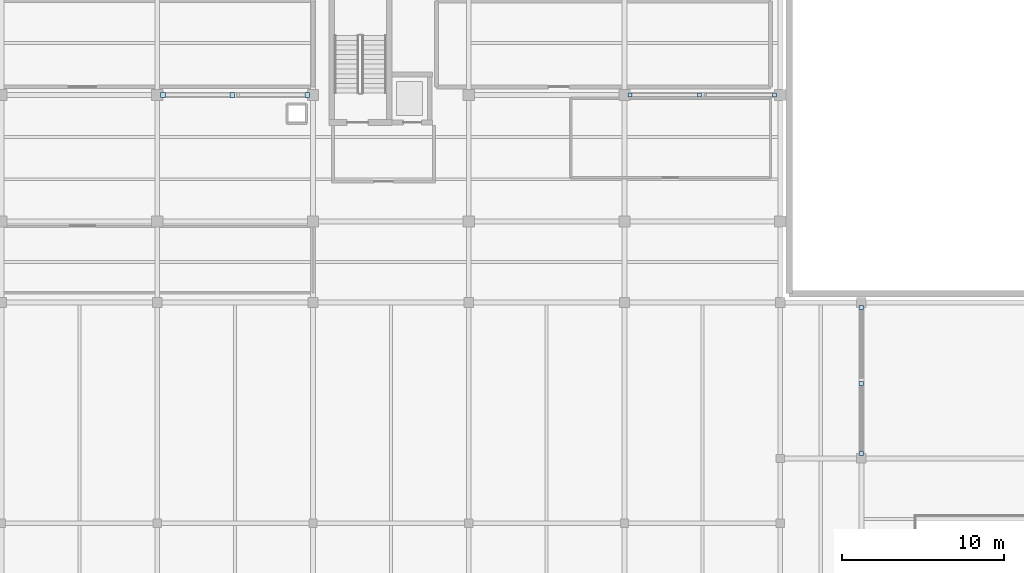
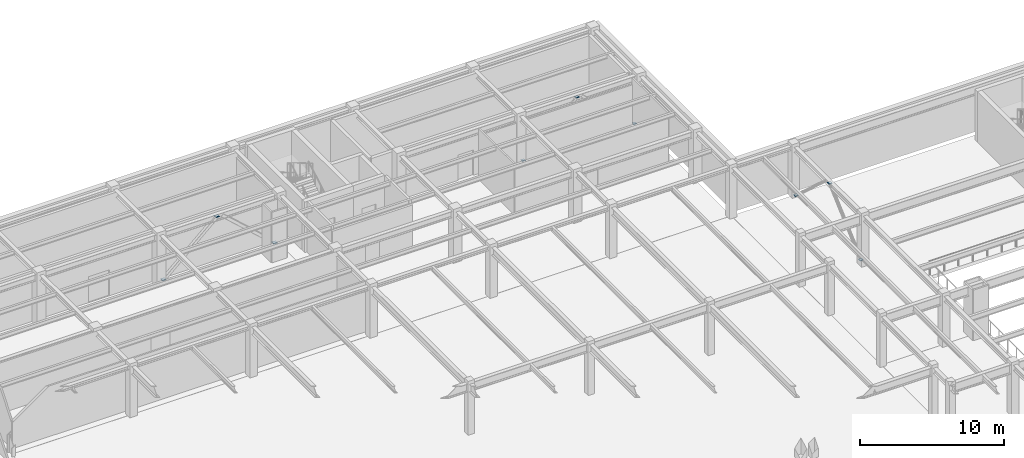
# One storey, part 17 of 32: 9 plates.
"""IFC4 building model written with IfcOpenShell, lengths in metres."""

from ifc_helpers import new_model, si_unit, direction, frame, origin, origin_2d, place, context, subcontext, project, spatial, rectangle, extrude, material, layer, layer_set, type_object, element, save


model = new_model("IFC4")

# Units and contexts
model_context = context("Model", 3, precision=1e-05, world=origin(), true_north=direction((0.0, 1.0)))
body_context = subcontext(model_context, "Body", "Model", "MODEL_VIEW")
ifc_project = project(units=[si_unit("LENGTHUNIT", "METRE"), si_unit("AREAUNIT", "SQUARE_METRE"), si_unit("VOLUMEUNIT", "CUBIC_METRE"), si_unit("PLANEANGLEUNIT", "RADIAN"), si_unit("MASSUNIT", "GRAM", prefix="KILO")], contexts=[model_context])

# Site, building, storey
site_placement = place(None, origin())
site = spatial("IfcSite", under=ifc_project, at=site_placement, CompositionType="ELEMENT")
building_placement = place(site_placement, origin())
building = spatial("IfcBuilding", under=site, at=building_placement, Name="Nordkorset Police Headquarters", CompositionType="ELEMENT")
storey_placement = place(building_placement, frame((0.0, 0.0, -4.550048828125)))
storey = spatial("IfcBuildingStorey", under=building, at=storey_placement, Name="B01", CompositionType="ELEMENT", Elevation=-4.550048828125)

# Plates
ifc_material = material(Name="Steel S355J2", Category="steel")
ifc_layer = layer(ifc_material, 0.02001953125, Name="Steel S355J2")
ifc_layer_set = layer_set([ifc_layer], Name="Steel S355J2")
plate_type = type_object("IfcPlateType", Name="SteelPlate_20mm", PredefinedType="SHEET", material=ifc_layer_set)
for number, where, z_axis, x_axis, name in (
    (1, (48.35009765625, 110.39990234375, 0.18994140625), (0.0, 0.0, 1.0), (1.0, 0.0, 0.0), "Hollow Section End Cap Plate BF-V2-A-B01-D1-0"),
    (2, (52.6201171875, 110.39990234375, 4.050048828125), (0.0, 0.0, 1.0), (1.0, 0.0, 0.0), "Hollow Section End Cap Plate BF-V2-A-B01-D1-1"),
    (3, (57.25, 110.39990234375, 0.18994140625), (0.0, 0.0, 1.0), (1.0, 0.0, 0.0), "Hollow Section End Cap Plate BF-V2-A-B01-D2-0"),
):
    element("IfcPlate", number, at=place(storey_placement, frame(where, z_axis=z_axis, x_axis=x_axis)), inside=storey, type_object=plate_type, Name=name, PredefinedType="SHEET", context=body_context, shape_type="SweptSolid", body=[
        extrude(rectangle(XDim=0.2900390625, YDim=0.2900390625, at=origin_2d()), origin(), (0.0, 0.0, 1.0), 0.02001953125),
    ])
for number, where, z_axis, x_axis, name in (
    (4, (77.14990234375, 110.39990234375, 0.18994140625), (0.0, 0.0, 1.0), (1.0, 0.0, 0.0), "Hollow Section End Cap Plate BF-V2-B-B01-D1-0"),
    (5, (81.419921875, 110.39990234375, 4.050048828125), (0.0, 0.0, 1.0), (1.0, 0.0, 0.0), "Hollow Section End Cap Plate BF-V2-B-B01-D1-1"),
    (6, (86.050048828125, 110.39990234375, 0.18994140625), (0.0, 0.0, 1.0), (1.0, 0.0, 0.0), "Hollow Section End Cap Plate BF-V2-B-B01-D2-0"),
):
    element("IfcPlate", number, at=place(storey_placement, frame(where, z_axis=z_axis, x_axis=x_axis)), inside=storey, type_object=plate_type, Name=name, PredefinedType="SHEET", context=body_context, shape_type="SweptSolid", body=[
        extrude(rectangle(XDim=0.239990234375, YDim=0.239990234375, at=origin_2d()), origin(), (0.0, 0.0, 1.0), 0.02001953125),
    ])
for number, where, z_axis, x_axis, name in (
    (7, (91.39990234375, 88.300048828125, 0.18994140625), (0.0, 0.0, 1.0), (1.0, 0.0, 0.0), "Hollow Section End Cap Plate BF-V5-A-B01-D1-0"),
    (8, (91.39990234375, 92.6201171875, 4.050048828125), (0.0, 0.0, 1.0), (1.0, 0.0, 0.0), "Hollow Section End Cap Plate BF-V5-A-B01-D1-1"),
    (9, (91.39990234375, 97.300048828125, 0.18994140625), (0.0, 0.0, 1.0), (1.0, 0.0, 0.0), "Hollow Section End Cap Plate BF-V5-A-B01-D2-0"),
):
    element("IfcPlate", number, at=place(storey_placement, frame(where, z_axis=z_axis, x_axis=x_axis)), inside=storey, type_object=plate_type, Name=name, PredefinedType="SHEET", context=body_context, shape_type="SweptSolid", body=[
        extrude(rectangle(XDim=0.259033203125, YDim=0.259033203125, at=origin_2d()), origin(), (0.0, 0.0, 1.0), 0.02001953125),
    ])

save(model, "model.ifc")
